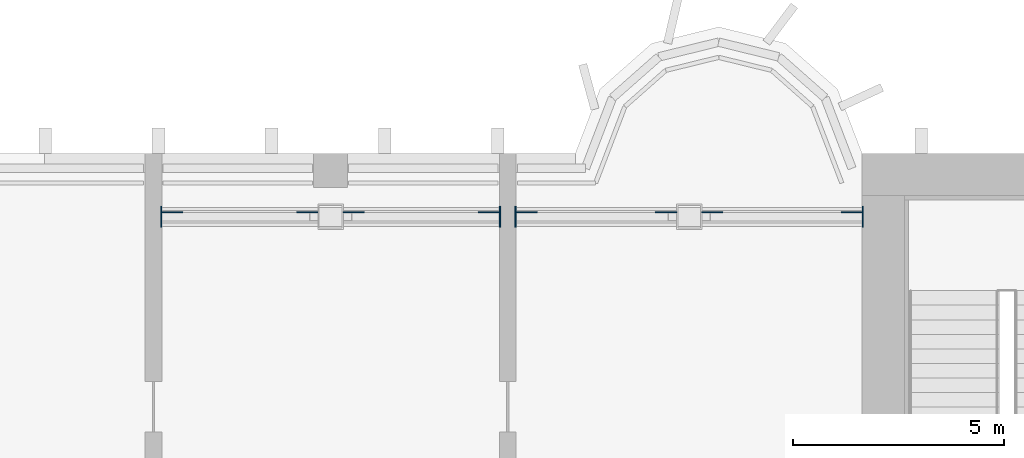
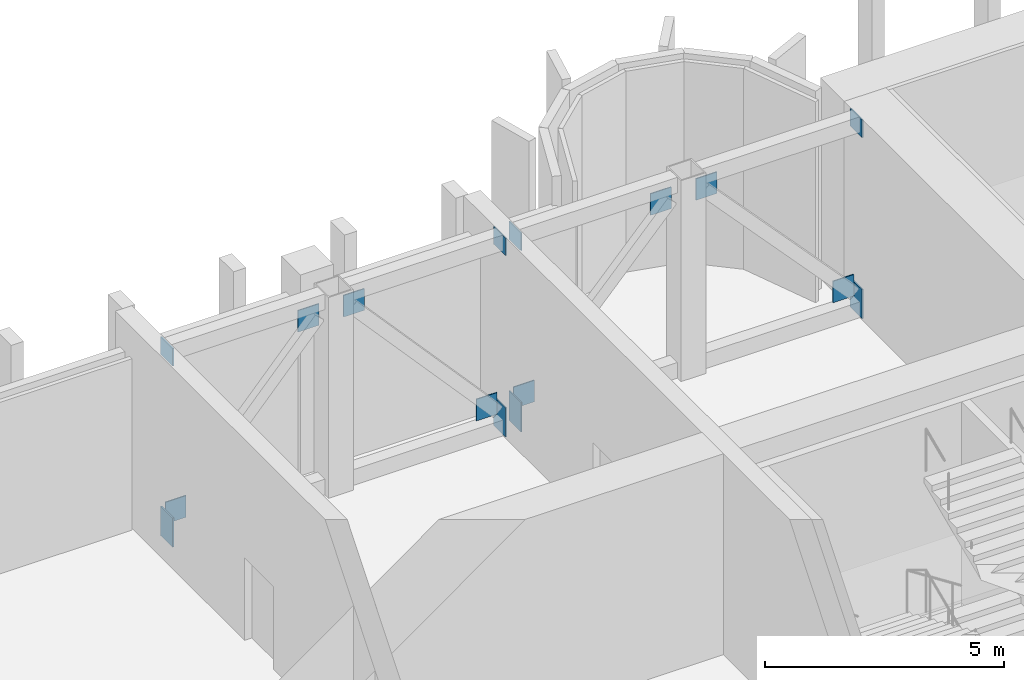
# One storey, part 12 of 17: 16 discrete accessories.
"""IFC4 building model written with IfcOpenShell, lengths in metres."""

from ifc_helpers import new_model, si_unit, direction, frame, origin, origin_2d, place, context, subcontext, project, spatial, rectangle, extrude, source, transform, mapped, material, layer, layer_set, type_object, element, save


model = new_model("IFC4")

# Units and contexts
model_context = context("Model", 3, precision=1e-05, world=origin(), true_north=direction((0.0, 1.0)))
body_context = subcontext(model_context, "Body", "Model", "MODEL_VIEW")
ifc_project = project(units=[si_unit("LENGTHUNIT", "METRE"), si_unit("AREAUNIT", "SQUARE_METRE"), si_unit("VOLUMEUNIT", "CUBIC_METRE"), si_unit("PLANEANGLEUNIT", "RADIAN"), si_unit("MASSUNIT", "GRAM", prefix="KILO")], contexts=[model_context])

# Site, building, storey
site_placement = place(None, origin())
site = spatial("IfcSite", under=ifc_project, at=site_placement, CompositionType="ELEMENT")
building_placement = place(site_placement, origin())
building = spatial("IfcBuilding", under=site, at=building_placement, Name="Vanashikhar Sky Hotel", CompositionType="ELEMENT")
storey_placement = place(building_placement, frame((0.0, 0.0, 81.0)))
storey = spatial("IfcBuildingStorey", under=building, at=storey_placement, Name="L19", CompositionType="ELEMENT", Elevation=81.0)

# Discrete accessories
ifc_material = material(Name="Steel S355", Category="steel")
ifc_layer_1 = layer(ifc_material, 0.030029296875)
ifc_layer_set_1 = layer_set([ifc_layer_1], Name="Cast-in anchor plate 500x750x30")
discrete_accessory_type_1 = type_object("IfcDiscreteAccessoryType", Name="Cast-in anchor plate 500x750x30", PredefinedType="ANCHORPLATE", material=ifc_layer_set_1)
shared_shape_1 = source(origin(), body_context, "Body", "SweptSolid", [
    extrude(rectangle(XDim=0.030029296875, YDim=0.5, at=origin_2d()), origin(), (0.0, 0.0, 1.0), 0.75),
])
for number, where, z_axis, x_axis, name in (
    (1, (8.5849609375, 40.5, 0.02490234375), (0.0, 0.0, 1.0), (1.0, 0.0, 0.0), "EP-L19-R11AB"),
    (2, (16.614990234375, 40.5, 0.02490234375), (0.0, 0.0, 1.0), (1.0, 0.0, 0.0), "EP-L19-R11BB"),
    (3, (16.985107421875, 40.5, 0.02490234375), (0.0, 0.0, 1.0), (1.0, 0.0, 0.0), "EP-L19-R12AB"),
    (4, (25.215087890625, 40.5, 0.02490234375), (0.0, 0.0, 1.0), (1.0, 0.0, 0.0), "EP-L19-R12BB"),
):
    element("IfcDiscreteAccessory", number, at=place(storey_placement, frame(where, z_axis=z_axis, x_axis=x_axis)), inside=storey, type_object=discrete_accessory_type_1, Name=name, PredefinedType="ANCHORPLATE", context=body_context, shape_type="MappedRepresentation", body=[
        mapped(shared_shape_1, transform((0.0, 0.0, 0.0), scale=1.0)),
    ])
ifc_layer_2 = layer(ifc_material, 0.030029296875)
ifc_layer_set_2 = layer_set([ifc_layer_2], Name="Cast-in anchor plate 500x450x30")
discrete_accessory_type_2 = type_object("IfcDiscreteAccessoryType", Name="Cast-in anchor plate 500x450x30", PredefinedType="ANCHORPLATE", material=ifc_layer_set_2)
shared_shape_2 = source(origin(), body_context, "Body", "SweptSolid", [
    extrude(rectangle(XDim=0.030029296875, YDim=0.5, at=origin_2d()), origin(), (0.0, 0.0, 1.0), 0.449951171875),
])
for number, where, z_axis, x_axis, name in (
    (5, (8.5849609375, 40.5, 4.64501953125), (0.0, 0.0, 1.0), (1.0, 0.0, 0.0), "EP-L19-R11AT"),
    (6, (16.614990234375, 40.5, 4.64501953125), (0.0, 0.0, 1.0), (1.0, 0.0, 0.0), "EP-L19-R11BT"),
    (7, (16.985107421875, 40.5, 4.64501953125), (0.0, 0.0, 1.0), (1.0, 0.0, 0.0), "EP-L19-R12AT"),
    (8, (25.215087890625, 40.5, 4.64501953125), (0.0, 0.0, 1.0), (1.0, 0.0, 0.0), "EP-L19-R12BT"),
):
    element("IfcDiscreteAccessory", number, at=place(storey_placement, frame(where, z_axis=z_axis, x_axis=x_axis)), inside=storey, type_object=discrete_accessory_type_2, Name=name, PredefinedType="ANCHORPLATE", context=body_context, shape_type="MappedRepresentation", body=[
        mapped(shared_shape_2, transform((0.0, 0.0, 0.0), scale=1.0)),
    ])
ifc_layer_3 = layer(ifc_material, 0.02490234375)
ifc_layer_set_3 = layer_set([ifc_layer_3], Name="Truss gusset plate 500x550x25")
discrete_accessory_type_3 = type_object("IfcDiscreteAccessoryType", Name="Truss gusset plate 500x550x25", PredefinedType="BRACKET", material=ifc_layer_set_3)
shared_shape_3 = source(origin(), body_context, "Body", "SweptSolid", [
    extrude(rectangle(XDim=0.5, YDim=0.02490234375, at=origin_2d()), origin(), (0.0, 0.0, 1.0), 0.550048828125),
])
for number, where, z_axis, x_axis, name in (
    (9, (8.85009765625, 40.612548828125, 0.39990234375), (0.0, 0.0, 1.0), (1.0, 0.0, 0.0), "GS-L19-R11LA"),
    (10, (12.050048828125, 40.612548828125, 4.169921875), (0.0, 0.0, 1.0), (1.0, 0.0, 0.0), "GS-L19-R11LB"),
    (11, (16.35009765625, 40.612548828125, 0.39990234375), (0.0, 0.0, 1.0), (1.0, 0.0, 0.0), "GS-L19-R11RA"),
    (12, (13.14990234375, 40.612548828125, 4.169921875), (0.0, 0.0, 1.0), (1.0, 0.0, 0.0), "GS-L19-R11RB"),
    (13, (17.25, 40.612548828125, 0.39990234375), (0.0, 0.0, 1.0), (1.0, 0.0, 0.0), "GS-L19-R12LA"),
    (14, (20.550048828125, 40.612548828125, 4.169921875), (0.0, 0.0, 1.0), (1.0, 0.0, 0.0), "GS-L19-R12LB"),
    (15, (24.949951171875, 40.612548828125, 0.39990234375), (0.0, 0.0, 1.0), (1.0, 0.0, 0.0), "GS-L19-R12RA"),
    (16, (21.64990234375, 40.612548828125, 4.169921875), (0.0, 0.0, 1.0), (1.0, 0.0, 0.0), "GS-L19-R12RB"),
):
    element("IfcDiscreteAccessory", number, at=place(storey_placement, frame(where, z_axis=z_axis, x_axis=x_axis)), inside=storey, type_object=discrete_accessory_type_3, Name=name, PredefinedType="BRACKET", context=body_context, shape_type="MappedRepresentation", body=[
        mapped(shared_shape_3, transform((0.0, 0.0, 0.0), scale=1.0)),
    ])

save(model, "model.ifc")
